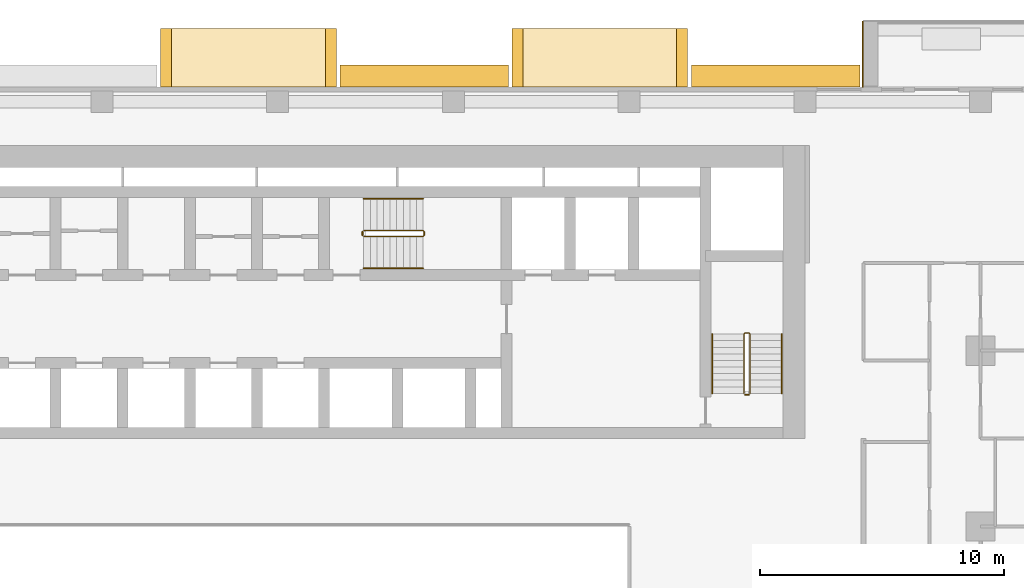
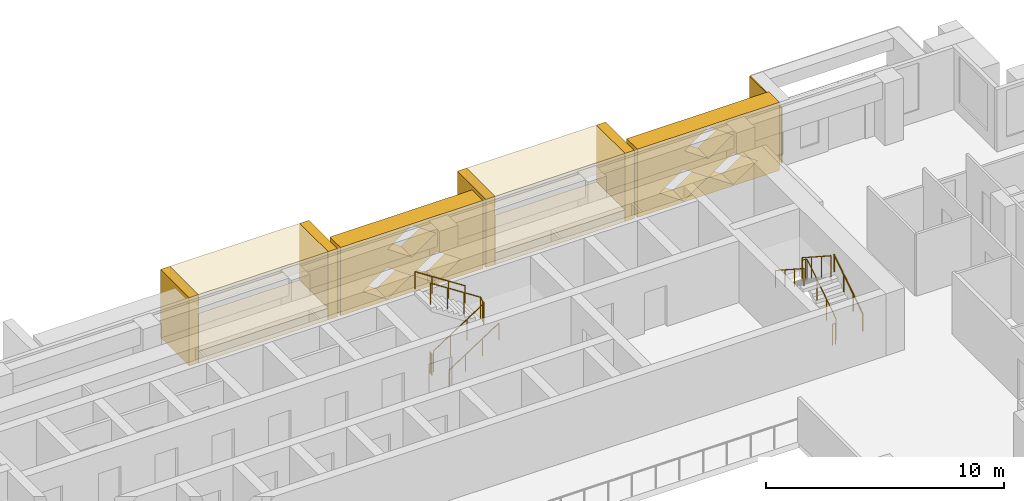
# One storey, part 16 of 17: 11 coverings, 8 railings.
"""IFC4 building model written with IfcOpenShell, lengths in metres."""

from ifc_helpers import new_model, si_unit, direction, frame, origin, origin_2d, place, context, subcontext, project, spatial, polyline, circle, outline, extrude, material, layer, layer_set, type_object, element, save


model = new_model("IFC4")

# Units and contexts
model_context = context("Model", 3, precision=1e-05, world=origin(), true_north=direction((0.0, 1.0)))
body_context = subcontext(model_context, "Body", "Model", "MODEL_VIEW")
ifc_project = project(units=[si_unit("LENGTHUNIT", "METRE"), si_unit("AREAUNIT", "SQUARE_METRE"), si_unit("VOLUMEUNIT", "CUBIC_METRE"), si_unit("PLANEANGLEUNIT", "RADIAN"), si_unit("MASSUNIT", "GRAM", prefix="KILO")], contexts=[model_context])

# Site, building, storey
site_placement = place(None, origin())
site = spatial("IfcSite", under=ifc_project, at=site_placement, CompositionType="ELEMENT")
building_placement = place(site_placement, origin())
building = spatial("IfcBuilding", under=site, at=building_placement, Name="Saffron Iwan Residences", CompositionType="ELEMENT")
storey_placement = place(building_placement, frame((0.0, 0.0, 97.0)))
storey = spatial("IfcBuildingStorey", under=building, at=storey_placement, Name="L25", CompositionType="ELEMENT", Elevation=97.0)

# Coverings
ifc_material_1 = material(Name="Precast concrete C40/50 white painted", Category="concrete")
ifc_layer = layer(ifc_material_1, 0.050048828125)
ifc_layer_set = layer_set([ifc_layer], Name="Precast concrete C40/50 white painted")
covering_type_1 = type_object("IfcCoveringType", Name="FRAME SKIN PRECAST WHITE 50", PredefinedType="CLADDING", material=ifc_layer_set)
covering_placement = place(storey_placement, origin())
element("IfcCovering", 1, at=covering_placement, inside=storey, type_object=covering_type_1, Name="Frame skin fin L25 F5-0b", PredefinedType="CLADDING", context=body_context, shape_type="SweptSolid", body=[
    extrude(outline(polyline([(74.39990234375, 83.10009765625), (74.35009765625, 83.10009765625), (74.35009765625, 80.39990234375), (74.39990234375, 80.39990234375), (74.39990234375, 83.10009765625)])), origin(), (0.0, 0.0, 1.0), 2.85009765625),
])
ifc_material_2 = material(Name="Precast concrete C40/50", Category="concrete")
covering_type_2 = type_object("IfcCoveringType", Name="OUTER SKIN LATTICE SCREEN", PredefinedType="CLADDING", material=ifc_material_2)
for number, where, z_axis, x_axis, name in (
    (2, (74.25, 80.39990234375, -0.320068359375), (0.0, 1.0, 0.0), (-1.0, 0.0, 0.0), "OUTER SKIN lattice screen L25 F5.1"),
    (3, (59.85009765625, 80.39990234375, -0.320068359375), (0.0, 1.0, 0.0), (-1.0, 0.0, 0.0), "OUTER SKIN lattice screen L25 F5.2"),
):
    element("IfcCovering", number, at=place(storey_placement, frame(where, z_axis=z_axis, x_axis=x_axis)), inside=storey, type_object=covering_type_2, Name=name, PredefinedType="CLADDING", context=body_context, shape_type="SweptSolid", body=[
        extrude(outline(polyline([(0.0, 0.0), (6.89990234375, 0.0), (6.89990234375, 3.5), (0.0, 3.5), (0.0, 0.0)]), holes=[polyline([(1.070068359375, 0.875), (2.25, 0.06005859375), (3.429931640625, 0.875), (2.25, 1.68994140625), (1.070068359375, 0.875)]), polyline([(3.469970703125, 0.875), (4.64990234375, 0.06005859375), (5.830078125, 0.875), (4.64990234375, 1.68994140625), (3.469970703125, 0.875)]), polyline([(2.27001953125, 2.625), (3.449951171875, 1.81005859375), (4.6298828125, 2.625), (3.449951171875, 3.43994140625), (2.27001953125, 2.625)])]), origin(), (0.0, 0.0, 1.0), 0.900146484375),
    ])

# Railings
ifc_material_3 = material(Name="Steel S355", Category="steel")
railing_type_1 = type_object("IfcRailingType", Name="Stair guard 1100", PredefinedType="GUARDRAIL", material=ifc_material_3)
railing_1_placement = place(storey_placement, frame((53.925048828125, 74.27490234375, 0.175048828125)))
element("IfcRailing", 4, at=railing_1_placement, inside=storey, type_object=railing_type_1, Name="L25 ST-C stair guard 1", PredefinedType="GUARDRAIL", context=body_context, shape_type="SweptSolid", body=[
    extrude(circle(Radius=0.02392578125, at=origin_2d()), frame((0.0, 0.0, 1.076171875), z_axis=(0.839153699163, 0.0, 0.543894354798), x_axis=(0.0, 1.0, 0.0)), (0.0, 0.0, 1.0), 2.895751953125),
    extrude(circle(Radius=0.02392578125, at=origin_2d()), frame((2.429931640625, 0.0, 2.65087890625), z_axis=(0.707106781187, 0.707106781187, 0.0), x_axis=(-0.707106781187, 0.707106781187, 0.0)), (0.0, 0.0, 1.0), 0.07080078125),
    extrude(circle(Radius=0.02392578125, at=origin_2d()), frame((2.47998046875, 0.050048828125, 2.65087890625), z_axis=(0.0, 1.0, 0.0), x_axis=(-1.0, 0.0, 0.0)), (0.0, 0.0, 1.0), 0.150146484375),
    extrude(circle(Radius=0.02392578125, at=origin_2d()), frame((2.47998046875, 0.2001953125, 2.65087890625), z_axis=(-0.265155923931, 0.263862480399, 0.927399011991), x_axis=(-0.705375805398, -0.708833529934, 0.0)), (0.0, 0.0, 1.0), 0.188720703125),
    extrude(circle(Radius=0.02392578125, at=origin_2d()), frame((2.429931640625, 0.25, 2.826171875), z_axis=(-0.839153699163, 0.0, 0.543894354798), x_axis=(0.0, -1.0, 0.0)), (0.0, 0.0, 1.0), 2.895751953125),
    extrude(circle(Radius=0.02099609375, at=origin_2d()), origin(), (0.0, 0.0, 1.0), 1.052001953125),
    extrude(circle(Radius=0.02099609375, at=origin_2d()), frame((0.81005859375, 0.0, 0.52490234375)), (0.0, 0.0, 1.0), 1.052001953125),
    extrude(circle(Radius=0.02099609375, at=origin_2d()), frame((1.619873046875, 0.0, 1.050048828125)), (0.0, 0.0, 1.0), 1.052001953125),
    extrude(circle(Radius=0.02099609375, at=origin_2d()), frame((2.429931640625, 0.0, 1.574951171875)), (0.0, 0.0, 1.0), 1.052001953125),
    extrude(circle(Radius=0.02099609375, at=origin_2d()), frame((2.47998046875, 0.050048828125, 1.574951171875)), (0.0, 0.0, 1.0), 1.052001953125),
    extrude(circle(Radius=0.02099609375, at=origin_2d()), frame((2.47998046875, 0.2001953125, 1.574951171875)), (0.0, 0.0, 1.0), 1.052001953125),
    extrude(circle(Radius=0.02099609375, at=origin_2d()), frame((2.429931640625, 0.25, 1.75)), (0.0, 0.0, 1.0), 1.052001953125),
    extrude(circle(Radius=0.02099609375, at=origin_2d()), frame((1.619873046875, 0.25, 2.27490234375)), (0.0, 0.0, 1.0), 1.052001953125),
    extrude(circle(Radius=0.02099609375, at=origin_2d()), frame((0.81005859375, 0.25, 2.800048828125)), (0.0, 0.0, 1.0), 1.052001953125),
    extrude(circle(Radius=0.02099609375, at=origin_2d()), frame((0.0, 0.25, 3.324951171875)), (0.0, 0.0, 1.0), 1.052001953125),
])
railing_2_placement = place(storey_placement, frame((53.875, 74.324951171875, 0.0)))
element("IfcRailing", 5, at=railing_2_placement, inside=storey, type_object=railing_type_1, Name="L25 ST-C stair guard 2", PredefinedType="GUARDRAIL", context=body_context, shape_type="SweptSolid", body=[
    extrude(circle(Radius=0.02392578125, at=origin_2d()), frame((0.0, 0.0, 1.076171875), z_axis=(0.0, 1.0, 0.0), x_axis=(-1.0, 0.0, 0.0)), (0.0, 0.0, 1.0), 0.150146484375),
    extrude(circle(Radius=0.02099609375, at=origin_2d()), origin(), (0.0, 0.0, 1.0), 1.052001953125),
    extrude(circle(Radius=0.02099609375, at=origin_2d()), frame((0.0, 0.150146484375, 0.0)), (0.0, 0.0, 1.0), 1.052001953125),
])
railing_3_placement = place(storey_placement, frame((69.75, 67.85009765625, 0.175048828125)))
element("IfcRailing", 6, at=railing_3_placement, inside=storey, type_object=railing_type_1, Name="L25 ST-E stair guard 1", PredefinedType="GUARDRAIL", context=body_context, shape_type="SweptSolid", body=[
    extrude(circle(Radius=0.02392578125, at=origin_2d()), frame((0.0, 0.0, 1.076171875), z_axis=(0.0, 0.839153699163, 0.543894354798), x_axis=(-1.0, 0.0, 0.0)), (0.0, 0.0, 1.0), 2.895751953125),
    extrude(circle(Radius=0.02392578125, at=origin_2d()), frame((0.0, 2.429931640625, 2.65087890625), z_axis=(-0.707106781187, 0.707106781187, 0.0), x_axis=(-0.707106781187, -0.707106781187, 0.0)), (0.0, 0.0, 1.0), 0.07080078125),
    extrude(circle(Radius=0.02392578125, at=origin_2d()), frame((-0.050048828125, 2.47998046875, 2.65087890625), z_axis=(-1.0, 0.0, 0.0), x_axis=(0.0, -1.0, 0.0)), (0.0, 0.0, 1.0), 0.14990234375),
    extrude(circle(Radius=0.02392578125, at=origin_2d()), frame((-0.199951171875, 2.47998046875, 2.65087890625), z_axis=(-0.265065253269, -0.265065253269, 0.927081885822), x_axis=(0.707106781187, -0.707106781187, 0.0)), (0.0, 0.0, 1.0), 0.188720703125),
    extrude(circle(Radius=0.02392578125, at=origin_2d()), frame((-0.25, 2.429931640625, 2.826171875), z_axis=(0.0, -0.839153699163, 0.543894354798), x_axis=(1.0, 0.0, 0.0)), (0.0, 0.0, 1.0), 2.895751953125),
    extrude(circle(Radius=0.02099609375, at=origin_2d()), origin(), (0.0, 0.0, 1.0), 1.052001953125),
    extrude(circle(Radius=0.02099609375, at=origin_2d()), frame((0.0, 0.81005859375, 0.52490234375)), (0.0, 0.0, 1.0), 1.052001953125),
    extrude(circle(Radius=0.02099609375, at=origin_2d()), frame((0.0, 1.619873046875, 1.050048828125)), (0.0, 0.0, 1.0), 1.052001953125),
    extrude(circle(Radius=0.02099609375, at=origin_2d()), frame((0.0, 2.429931640625, 1.574951171875)), (0.0, 0.0, 1.0), 1.052001953125),
    extrude(circle(Radius=0.02099609375, at=origin_2d()), frame((-0.050048828125, 2.47998046875, 1.574951171875)), (0.0, 0.0, 1.0), 1.052001953125),
    extrude(circle(Radius=0.02099609375, at=origin_2d()), frame((-0.199951171875, 2.47998046875, 1.574951171875)), (0.0, 0.0, 1.0), 1.052001953125),
    extrude(circle(Radius=0.02099609375, at=origin_2d()), frame((-0.25, 2.429931640625, 1.75)), (0.0, 0.0, 1.0), 1.052001953125),
    extrude(circle(Radius=0.02099609375, at=origin_2d()), frame((-0.25, 1.619873046875, 2.27490234375)), (0.0, 0.0, 1.0), 1.052001953125),
    extrude(circle(Radius=0.02099609375, at=origin_2d()), frame((-0.25, 0.81005859375, 2.800048828125)), (0.0, 0.0, 1.0), 1.052001953125),
    extrude(circle(Radius=0.02099609375, at=origin_2d()), frame((-0.25, 0.0, 3.324951171875)), (0.0, 0.0, 1.0), 1.052001953125),
])
railing_4_placement = place(storey_placement, frame((69.699951171875, 67.800048828125, 0.0)))
element("IfcRailing", 7, at=railing_4_placement, inside=storey, type_object=railing_type_1, Name="L25 ST-E stair guard 2", PredefinedType="GUARDRAIL", context=body_context, shape_type="SweptSolid", body=[
    extrude(circle(Radius=0.02392578125, at=origin_2d()), frame((0.0, 0.0, 1.076171875), z_axis=(-1.0, 0.0, 0.0), x_axis=(0.0, -1.0, 0.0)), (0.0, 0.0, 1.0), 0.14990234375),
    extrude(circle(Radius=0.02099609375, at=origin_2d()), origin(), (0.0, 0.0, 1.0), 1.052001953125),
    extrude(circle(Radius=0.02099609375, at=origin_2d()), frame((-0.14990234375, 0.0, 0.0)), (0.0, 0.0, 1.0), 1.052001953125),
])
ifc_material_4 = material(Name="Stainless steel 316", Category="steel")
railing_type_2 = type_object("IfcRailingType", Name="Stair handrail 900", PredefinedType="HANDRAIL", material=ifc_material_4)
railing_5_placement = place(storey_placement, frame((53.925048828125, 72.97509765625, 0.175048828125)))
element("IfcRailing", 8, at=railing_5_placement, inside=storey, type_object=railing_type_2, Name="L25 ST-C stair handrail 1", PredefinedType="HANDRAIL", context=body_context, shape_type="SweptSolid", body=[
    extrude(circle(Radius=0.02392578125, at=origin_2d()), frame((0.0, 0.0, 0.8759765625), z_axis=(0.839153699163, 0.0, 0.543894354798), x_axis=(0.0, 1.0, 0.0)), (0.0, 0.0, 1.0), 2.895751953125),
    extrude(circle(Radius=0.02099609375, at=origin_2d()), origin(), (0.0, 0.0, 1.0), 0.851806640625),
    extrude(circle(Radius=0.02099609375, at=origin_2d()), frame((0.81005859375, 0.0, 0.52490234375)), (0.0, 0.0, 1.0), 0.851806640625),
    extrude(circle(Radius=0.02099609375, at=origin_2d()), frame((1.619873046875, 0.0, 1.050048828125)), (0.0, 0.0, 1.0), 0.851806640625),
    extrude(circle(Radius=0.02099609375, at=origin_2d()), frame((2.429931640625, 0.0, 1.574951171875)), (0.0, 0.0, 1.0), 0.851806640625),
])
railing_6_placement = place(storey_placement, frame((56.35498046875, 75.824951171875, 1.925048828125)))
element("IfcRailing", 9, at=railing_6_placement, inside=storey, type_object=railing_type_2, Name="L25 ST-C stair handrail 2", PredefinedType="HANDRAIL", context=body_context, shape_type="SweptSolid", body=[
    extrude(circle(Radius=0.02392578125, at=origin_2d()), frame((0.0, 0.0, 0.8759765625), z_axis=(-0.839153699163, 0.0, 0.543894354798), x_axis=(0.0, -1.0, 0.0)), (0.0, 0.0, 1.0), 2.895751953125),
    extrude(circle(Radius=0.02099609375, at=origin_2d()), origin(), (0.0, 0.0, 1.0), 0.851806640625),
    extrude(circle(Radius=0.02099609375, at=origin_2d()), frame((-0.81005859375, 0.0, 0.52490234375)), (0.0, 0.0, 1.0), 0.851806640625),
    extrude(circle(Radius=0.02099609375, at=origin_2d()), frame((-1.619873046875, 0.0, 1.050048828125)), (0.0, 0.0, 1.0), 0.851806640625),
    extrude(circle(Radius=0.02099609375, at=origin_2d()), frame((-2.429931640625, 0.0, 1.574951171875)), (0.0, 0.0, 1.0), 0.851806640625),
])
railing_7_placement = place(storey_placement, frame((71.050048828125, 67.85009765625, 0.175048828125)))
element("IfcRailing", 10, at=railing_7_placement, inside=storey, type_object=railing_type_2, Name="L25 ST-E stair handrail 1", PredefinedType="HANDRAIL", context=body_context, shape_type="SweptSolid", body=[
    extrude(circle(Radius=0.02392578125, at=origin_2d()), frame((0.0, 0.0, 0.8759765625), z_axis=(0.0, 0.839153699163, 0.543894354798), x_axis=(-1.0, 0.0, 0.0)), (0.0, 0.0, 1.0), 2.895751953125),
    extrude(circle(Radius=0.02099609375, at=origin_2d()), origin(), (0.0, 0.0, 1.0), 0.851806640625),
    extrude(circle(Radius=0.02099609375, at=origin_2d()), frame((0.0, 0.81005859375, 0.52490234375)), (0.0, 0.0, 1.0), 0.851806640625),
    extrude(circle(Radius=0.02099609375, at=origin_2d()), frame((0.0, 1.619873046875, 1.050048828125)), (0.0, 0.0, 1.0), 0.851806640625),
    extrude(circle(Radius=0.02099609375, at=origin_2d()), frame((0.0, 2.429931640625, 1.574951171875)), (0.0, 0.0, 1.0), 0.851806640625),
])
railing_8_placement = place(storey_placement, frame((68.199951171875, 70.280029296875, 1.925048828125)))
element("IfcRailing", 11, at=railing_8_placement, inside=storey, type_object=railing_type_2, Name="L25 ST-E stair handrail 2", PredefinedType="HANDRAIL", context=body_context, shape_type="SweptSolid", body=[
    extrude(circle(Radius=0.02392578125, at=origin_2d()), frame((0.0, 0.0, 0.8759765625), z_axis=(0.0, -0.839153699163, 0.543894354798), x_axis=(1.0, 0.0, 0.0)), (0.0, 0.0, 1.0), 2.895751953125),
    extrude(circle(Radius=0.02099609375, at=origin_2d()), origin(), (0.0, 0.0, 1.0), 0.851806640625),
    extrude(circle(Radius=0.02099609375, at=origin_2d()), frame((0.0, -0.81005859375, 0.52490234375)), (0.0, 0.0, 1.0), 0.851806640625),
    extrude(circle(Radius=0.02099609375, at=origin_2d()), frame((0.0, -1.619873046875, 1.050048828125)), (0.0, 0.0, 1.0), 0.851806640625),
    extrude(circle(Radius=0.02099609375, at=origin_2d()), frame((0.0, -2.429931640625, 1.574951171875)), (0.0, 0.0, 1.0), 0.851806640625),
])

# Coverings
covering_type_3 = type_object("IfcCoveringType", Name="WHITE SUN FRAME PRECAST", PredefinedType="CLADDING", material=ifc_material_1)
for number, where, z_axis, x_axis, name in (
    (12, (67.199951171875, 80.39990234375, -0.320068359375), (0.0, 1.0, 0.0), (-1.0, 0.0, 0.0), "Sun frame L25 F5 15.6a"),
    (13, (60.449951171875, 80.39990234375, -0.320068359375), (0.0, 1.0, 0.0), (-1.0, 0.0, 0.0), "Sun frame L25 F5 15.6b"),
):
    element("IfcCovering", number, at=place(storey_placement, frame(where, z_axis=z_axis, x_axis=x_axis)), inside=storey, type_object=covering_type_3, Name=name, PredefinedType="CLADDING", context=body_context, shape_type="SweptSolid", body=[
        extrude(outline(polyline([(0.0, 0.0), (0.449951171875, 0.0), (0.449951171875, 3.5), (0.0, 3.5), (0.0, 0.0)])), origin(), (0.0, 0.0, 1.0), 2.400146484375),
    ])
for number, where, z_axis, x_axis, name in (
    (14, (66.75, 80.39990234375, 2.580078125), (0.0, 1.0, 0.0), (-1.0, 0.0, 0.0), "Sun frame L25 F5 15.6h"),
    (15, (66.75, 80.39990234375, -0.320068359375), (0.0, 1.0, 0.0), (-1.0, 0.0, 0.0), "Sun frame L25 F5 15.6s"),
):
    element("IfcCovering", number, at=place(storey_placement, frame(where, z_axis=z_axis, x_axis=x_axis)), inside=storey, type_object=covering_type_3, Name=name, PredefinedType="CLADDING", context=body_context, shape_type="SweptSolid", body=[
        extrude(outline(polyline([(0.0, 0.0), (6.300048828125, 0.0), (6.300048828125, 0.60009765625), (0.0, 0.60009765625), (0.0, 0.0)])), origin(), (0.0, 0.0, 1.0), 2.400146484375),
    ])
for number, where, z_axis, x_axis, name in (
    (16, (52.800048828125, 80.39990234375, -0.320068359375), (0.0, 1.0, 0.0), (-1.0, 0.0, 0.0), "Sun frame L25 F5 30.0a"),
    (17, (46.050048828125, 80.39990234375, -0.320068359375), (0.0, 1.0, 0.0), (-1.0, 0.0, 0.0), "Sun frame L25 F5 30.0b"),
):
    element("IfcCovering", number, at=place(storey_placement, frame(where, z_axis=z_axis, x_axis=x_axis)), inside=storey, type_object=covering_type_3, Name=name, PredefinedType="CLADDING", context=body_context, shape_type="SweptSolid", body=[
        extrude(outline(polyline([(0.0, 0.0), (0.449951171875, 0.0), (0.449951171875, 3.5), (0.0, 3.5), (0.0, 0.0)])), origin(), (0.0, 0.0, 1.0), 2.400146484375),
    ])
for number, where, z_axis, x_axis, name in (
    (18, (52.35009765625, 80.39990234375, 2.580078125), (0.0, 1.0, 0.0), (-1.0, 0.0, 0.0), "Sun frame L25 F5 30.0h"),
    (19, (52.35009765625, 80.39990234375, -0.320068359375), (0.0, 1.0, 0.0), (-1.0, 0.0, 0.0), "Sun frame L25 F5 30.0s"),
):
    element("IfcCovering", number, at=place(storey_placement, frame(where, z_axis=z_axis, x_axis=x_axis)), inside=storey, type_object=covering_type_3, Name=name, PredefinedType="CLADDING", context=body_context, shape_type="SweptSolid", body=[
        extrude(outline(polyline([(0.0, 0.0), (6.300048828125, 0.0), (6.300048828125, 0.60009765625), (0.0, 0.60009765625), (0.0, 0.0)])), origin(), (0.0, 0.0, 1.0), 2.400146484375),
    ])

save(model, "model.ifc")
